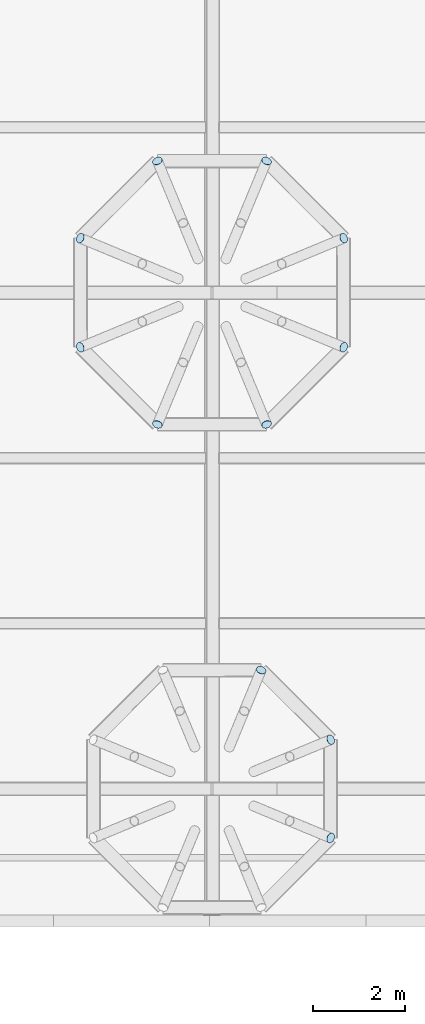
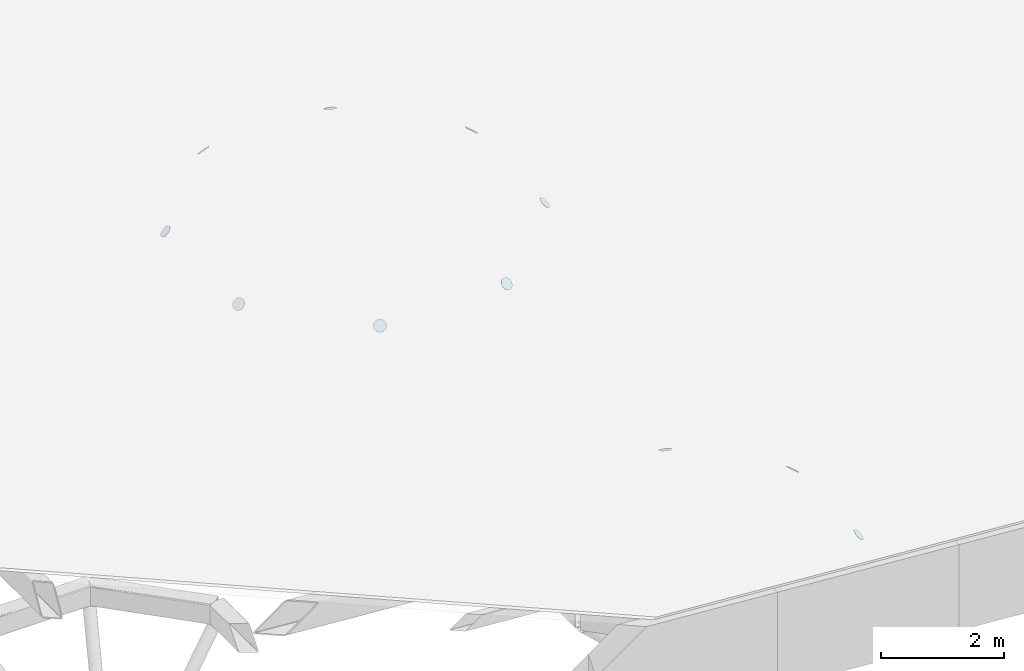
# One storey, part 59 of 95: 11 plates.
"""IFC4 building model written with IfcOpenShell, lengths in metres."""

from ifc_helpers import new_model, si_unit, direction, frame, origin, origin_2d, place, context, subcontext, project, spatial, circle, extrude, material, material_profile, profile_set, type_object, element, save


model = new_model("IFC4")

# Units and contexts
model_context = context("Model", 3, precision=1e-05, world=origin(), true_north=direction((0.0, 1.0)))
body_context = subcontext(model_context, "Body", "Model", "MODEL_VIEW")
ifc_project = project(units=[si_unit("LENGTHUNIT", "METRE"), si_unit("AREAUNIT", "SQUARE_METRE"), si_unit("VOLUMEUNIT", "CUBIC_METRE"), si_unit("PLANEANGLEUNIT", "RADIAN"), si_unit("MASSUNIT", "GRAM", prefix="KILO")], contexts=[model_context])

# Site, building, storey
site_placement = place(None, origin())
site = spatial("IfcSite", under=ifc_project, at=site_placement, CompositionType="ELEMENT")
building_placement = place(site_placement, origin())
building = spatial("IfcBuilding", under=site, at=building_placement, Name="Magnolia Steps Interchange", CompositionType="ELEMENT")
storey_placement = place(building_placement, frame((0.0, 0.0, 4.800048828125)))
storey = spatial("IfcBuildingStorey", under=building, at=storey_placement, Name="L01", CompositionType="ELEMENT", Elevation=4.800048828125)

# Plates
ifc_material = material(Name="Steel Q355B", Category="steel")
ifc_material_profile = material_profile(ifc_material, circle(Radius=0.109619140625, at=origin_2d()), Name="End plate CHS219x10")
ifc_profile_set = profile_set([ifc_material_profile], Name="Steel Q355B")
plate_type = type_object("IfcPlateType", Name="End plate CHS219x10", PredefinedType="SHEET", material=ifc_profile_set)
for number, where, z_axis, x_axis, name in (
    (1, (163.780029296875, 43.46875, 2.34375), (0.664583318381, 0.275279424158, 0.694658370398), (-0.382683432789, 0.923879532336, 0.0), "End plate Tree rib"),
    (2, (162.268798828125, 44.97998046875, 2.34375), (0.275279424158, 0.664583318381, 0.694658370398), (-0.923879532336, 0.382683432789, 0.0), "End plate Tree rib"),
    (3, (163.780029296875, 41.331298828125, 2.34375), (0.664583318381, -0.275279424158, 0.694658370398), (0.382683432789, 0.923879532336, 0.0), "End plate Tree rib"),
    (4, (164.06396484375, 54.38623046875, 2.34375), (0.664583318381, 0.275279424158, 0.694658370398), (-0.382683432789, 0.923879532336, 0.0), "End plate Tree rib"),
    (5, (162.38623046875, 56.06396484375, 2.34375), (0.275279424158, 0.664583318381, 0.694658370398), (-0.923879532336, 0.382683432789, 0.0), "End plate Tree rib"),
    (6, (160.013671875, 56.06396484375, 2.34375), (-0.275279424158, 0.664583318381, 0.694658370398), (-0.923879532336, -0.382683432789, 0.0), "End plate Tree rib"),
    (7, (158.3359375, 54.38623046875, 2.34375), (-0.664583318381, 0.275279424158, 0.694658370398), (-0.382683432789, -0.923879532336, 0.0), "End plate Tree rib"),
    (8, (158.3359375, 52.013671875, 2.34375), (-0.664583318381, -0.275279424158, 0.694658370398), (0.382683432789, -0.923879532336, 0.0), "End plate Tree rib"),
    (9, (160.013671875, 50.3359375, 2.34375), (-0.275279424158, -0.664583318381, 0.694658370398), (0.923879532336, -0.382683432789, 0.0), "End plate Tree rib"),
    (10, (162.38623046875, 50.3359375, 2.34375), (0.275279424158, -0.664583318381, 0.694658370398), (0.923879532336, 0.382683432789, 0.0), "End plate Tree rib"),
    (11, (164.06396484375, 52.013671875, 2.34375), (0.664583318381, -0.275279424158, 0.694658370398), (0.382683432789, 0.923879532336, 0.0), "End plate Tree rib"),
):
    element("IfcPlate", number, at=place(storey_placement, frame(where, z_axis=z_axis, x_axis=x_axis)), inside=storey, type_object=plate_type, Name=name, PredefinedType="SHEET", context=body_context, shape_type="SweptSolid", body=[
        extrude(circle(Radius=0.109619140625, at=origin_2d()), origin(), (0.0, 0.0, 1.0), 0.008056640625),
    ])

save(model, "model.ifc")
